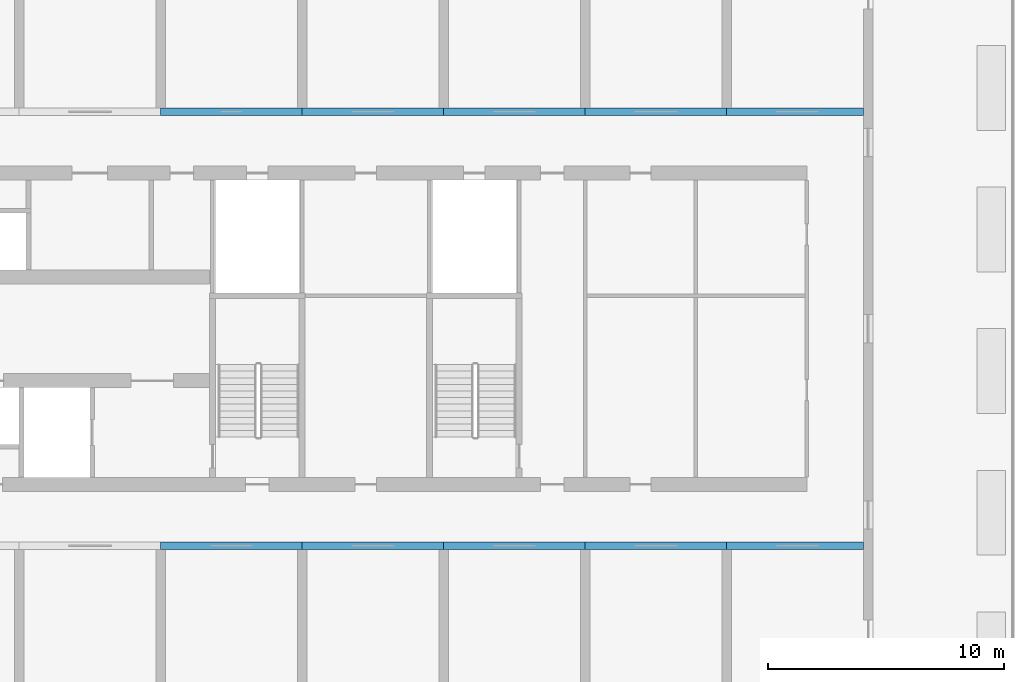
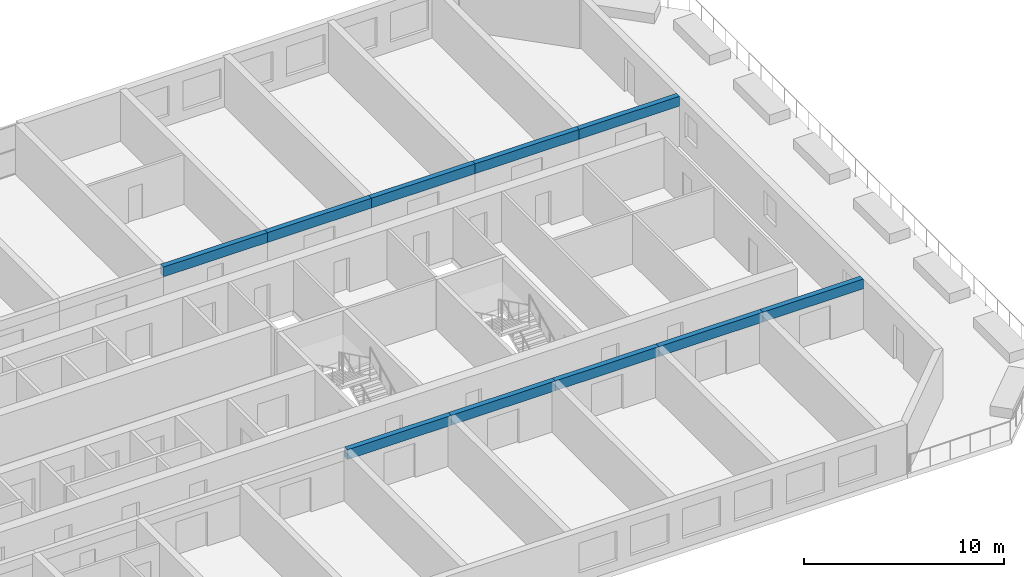
# One storey, part 4 of 21: 10 beams.
"""IFC4 building model written with IfcOpenShell, lengths in metres."""

from ifc_helpers import new_model, si_unit, direction, frame, origin, origin_2d, place, context, subcontext, project, spatial, rectangle, extrude, source, transform, mapped, material, material_profile, profile_set, type_object, element, save


model = new_model("IFC4")

# Units and contexts
model_context = context("Model", 3, precision=1e-05, world=origin(), true_north=direction((0.0, 1.0)))
body_context = subcontext(model_context, "Body", "Model", "MODEL_VIEW")
ifc_project = project(units=[si_unit("LENGTHUNIT", "METRE"), si_unit("AREAUNIT", "SQUARE_METRE"), si_unit("VOLUMEUNIT", "CUBIC_METRE"), si_unit("PLANEANGLEUNIT", "RADIAN"), si_unit("MASSUNIT", "GRAM", prefix="KILO")], contexts=[model_context])

# Site, building, storey
site_placement = place(None, origin())
site = spatial("IfcSite", under=ifc_project, at=site_placement, CompositionType="ELEMENT")
building_placement = place(site_placement, origin())
building = spatial("IfcBuilding", under=site, at=building_placement, Name="Poui Terraces", CompositionType="ELEMENT")
storey_placement = place(building_placement, frame((0.0, 0.0, 53.10009765625)))
storey = spatial("IfcBuildingStorey", under=building, at=storey_placement, Name="L14", CompositionType="ELEMENT", Elevation=53.10009765625)

# Beams
ifc_material = material(Name="Concrete 80 MPa", Category="concrete")
ifc_material_profile = material_profile(ifc_material, rectangle(XDim=0.300048828125, YDim=0.60009765625, at=origin_2d()), Name="RC 300x600")
ifc_profile_set = profile_set([ifc_material_profile], Name="Concrete 80 MPa")
beam_type = type_object("IfcBeamType", Name="COUPLING BEAM 300x600 80MPa", PredefinedType="BEAM", material=ifc_profile_set)
shared_shape_1 = source(origin(), body_context, "Body", "SweptSolid", [
    extrude(rectangle(XDim=0.300048828125, YDim=0.60009765625, at=origin_2d()), origin(), (0.0, 0.0, 1.0), 6.0),
])
for number, where, z_axis, x_axis, name in (
    (1, (66.0, 12.0, 2.75), (1.0, 0.0, 0.0), (0.0, 1.0, 0.0), "COUPLING BEAM LINE B BAY 11"),
    (2, (72.0, 12.0, 2.75), (1.0, 0.0, 0.0), (0.0, 1.0, 0.0), "COUPLING BEAM LINE B BAY 12"),
    (3, (78.0, 12.0, 2.75), (1.0, 0.0, 0.0), (0.0, 1.0, 0.0), "COUPLING BEAM LINE B BAY 13"),
    (4, (84.0, 12.0, 2.75), (1.0, 0.0, 0.0), (0.0, 1.0, 0.0), "COUPLING BEAM LINE B BAY 14"),
    (5, (66.0, 30.39990234375, 2.75), (1.0, 0.0, 0.0), (0.0, 1.0, 0.0), "COUPLING BEAM LINE E BAY 11"),
    (6, (72.0, 30.39990234375, 2.75), (1.0, 0.0, 0.0), (0.0, 1.0, 0.0), "COUPLING BEAM LINE E BAY 12"),
    (7, (78.0, 30.39990234375, 2.75), (1.0, 0.0, 0.0), (0.0, 1.0, 0.0), "COUPLING BEAM LINE E BAY 13"),
    (8, (84.0, 30.39990234375, 2.75), (1.0, 0.0, 0.0), (0.0, 1.0, 0.0), "COUPLING BEAM LINE E BAY 14"),
):
    element("IfcBeam", number, at=place(storey_placement, frame(where, z_axis=z_axis, x_axis=x_axis)), inside=storey, type_object=beam_type, Name=name, PredefinedType="BEAM", context=body_context, shape_type="MappedRepresentation", body=[
        mapped(shared_shape_1, transform((0.0, 0.0, 0.0))),
    ])
shared_shape_2 = source(origin(), body_context, "Body", "SweptSolid", [
    extrude(rectangle(XDim=0.300048828125, YDim=0.60009765625, at=origin_2d()), origin(), (0.0, 0.0, 1.0), 5.800048828125),
])
for number, where, z_axis, x_axis, name in (
    (9, (90.0, 12.0, 2.75), (1.0, 0.0, 0.0), (0.0, 1.0, 0.0), "COUPLING BEAM LINE B BAY 15"),
    (10, (90.0, 30.39990234375, 2.75), (1.0, 0.0, 0.0), (0.0, 1.0, 0.0), "COUPLING BEAM LINE E BAY 15"),
):
    element("IfcBeam", number, at=place(storey_placement, frame(where, z_axis=z_axis, x_axis=x_axis)), inside=storey, type_object=beam_type, Name=name, PredefinedType="BEAM", context=body_context, shape_type="MappedRepresentation", body=[
        mapped(shared_shape_2, transform((0.0, 0.0, 0.0))),
    ])

save(model, "model.ifc")
